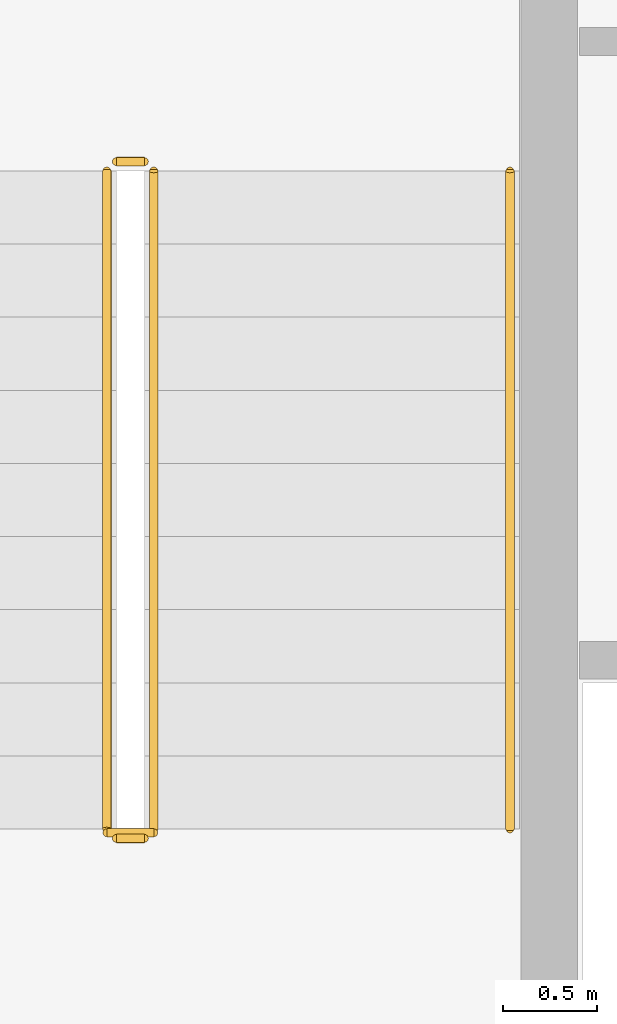
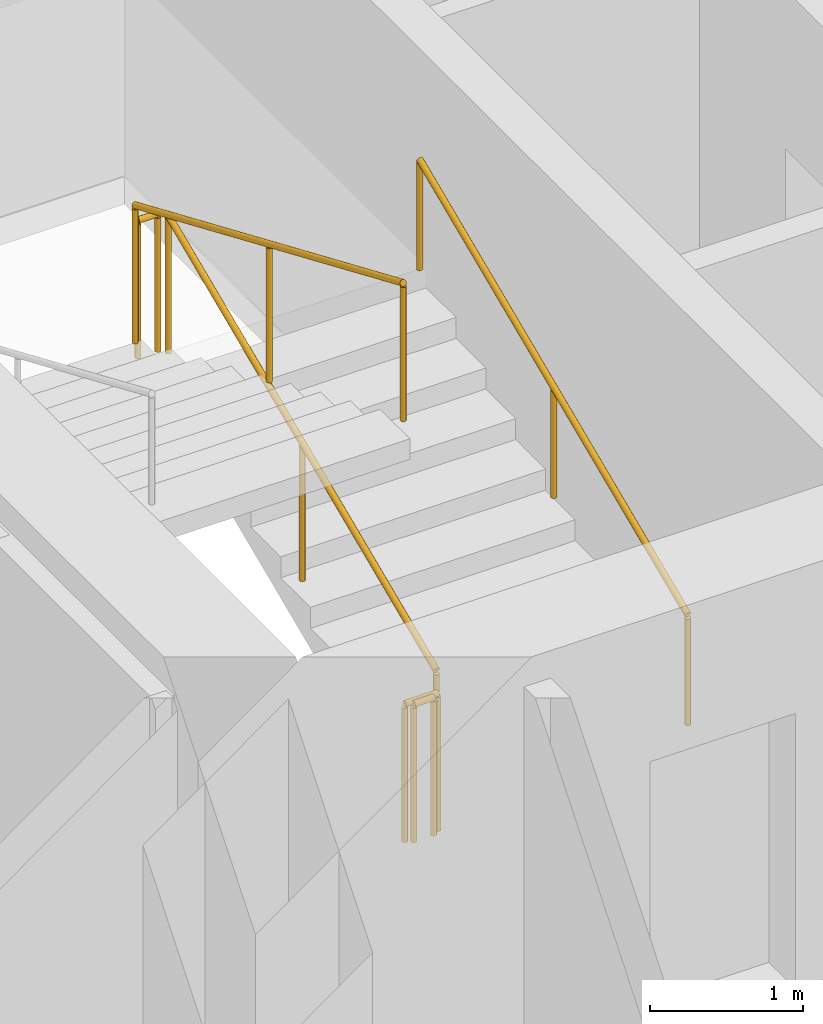
# One storey, part 32 of 33: 6 railings.
"""IFC4 building model written with IfcOpenShell, lengths in metres."""

from ifc_helpers import new_model, si_unit, direction, frame, origin, origin_2d, place, context, subcontext, project, spatial, circle, extrude, material, layer, layer_set, type_object, element, save


model = new_model("IFC4")

# Units and contexts
model_context = context("Model", 3, precision=1e-05, world=origin(), true_north=direction((0.0, 1.0)))
body_context = subcontext(model_context, "Body", "Model", "MODEL_VIEW")
ifc_project = project(units=[si_unit("LENGTHUNIT", "METRE"), si_unit("AREAUNIT", "SQUARE_METRE"), si_unit("VOLUMEUNIT", "CUBIC_METRE"), si_unit("PLANEANGLEUNIT", "RADIAN"), si_unit("MASSUNIT", "GRAM", prefix="KILO")], contexts=[model_context])

# Site, building, storey
site_placement = place(None, origin())
site = spatial("IfcSite", under=ifc_project, at=site_placement, CompositionType="ELEMENT")
building_placement = place(site_placement, origin())
building = spatial("IfcBuilding", under=site, at=building_placement, Name="Hatsunagi Terrace Concourse", CompositionType="ELEMENT")
storey_placement = place(building_placement, frame((0.0, 0.0, 56.699951171875)))
storey = spatial("IfcBuildingStorey", under=building, at=storey_placement, Name="L14", CompositionType="ELEMENT", Elevation=56.699951171875)

# Railings
ifc_material_1 = material(Name="Stainless steel", Category="steel")
ifc_layer_1 = layer(ifc_material_1, 0.044921875)
ifc_layer_set_1 = layer_set([ifc_layer_1], Name="StairPitchHandrail_Tower2000")
railing_type_1 = type_object("IfcRailingType", Name="StairPitchHandrail_Tower2000", PredefinedType="HANDRAIL", material=ifc_layer_set_1)
railing_1_placement = place(storey_placement, frame((30.330078125, 35.199951171875, 0.16748046875)))
element("IfcRailing", 1, at=railing_1_placement, inside=storey, type_object=railing_type_1, Name="L14 ST-A stair handrail 1", PredefinedType="HANDRAIL", context=body_context, shape_type="SweptSolid", body=[
    extrude(circle(Radius=0.02392578125, at=origin_2d()), frame((0.0, 0.0, 0.8759765625), z_axis=(0.0, 0.918834009242, 0.394644223904), x_axis=(-1.0, 0.0, 0.0)), (0.0, 0.0, 1.0), 3.820068359375),
    extrude(circle(Radius=0.02099609375, at=origin_2d()), origin(), (0.0, 0.0, 1.0), 0.851806640625),
    extrude(circle(Radius=0.02099609375, at=origin_2d()), frame((0.0, 1.7548828125, 0.75390625)), (0.0, 0.0, 1.0), 0.851806640625),
    extrude(circle(Radius=0.02099609375, at=origin_2d()), frame((0.0, 3.510009765625, 1.507568359375)), (0.0, 0.0, 1.0), 0.851806640625),
])
ifc_material_2 = material(Name="Stainless steel", Category="steel")
ifc_layer_2 = layer(ifc_material_2, 0.06005859375)
ifc_layer_set_2 = layer_set([ifc_layer_2], Name="StairWellGuard_Tower2000")
railing_type_2 = type_object("IfcRailingType", Name="StairWellGuard_Tower2000", PredefinedType="BALUSTRADE", material=ifc_layer_set_2)
railing_2_placement = place(storey_placement, frame((28.429931640625, 35.199951171875, 0.16748046875)))
element("IfcRailing", 2, at=railing_2_placement, inside=storey, type_object=railing_type_2, Name="L14 ST-A stair guard 1", PredefinedType="BALUSTRADE", context=body_context, shape_type="SweptSolid", body=[
    extrude(circle(Radius=0.02392578125, at=origin_2d()), frame((0.0, 0.0, 1.09619140625), z_axis=(0.0, 0.918834009242, 0.394644223904), x_axis=(-1.0, 0.0, 0.0)), (0.0, 0.0, 1.0), 3.820068359375),
    extrude(circle(Radius=0.02099609375, at=origin_2d()), origin(), (0.0, 0.0, 1.0), 1.072021484375),
    extrude(circle(Radius=0.02099609375, at=origin_2d()), frame((0.0, 1.7548828125, 0.75390625)), (0.0, 0.0, 1.0), 1.072021484375),
    extrude(circle(Radius=0.02099609375, at=origin_2d()), frame((0.0, 3.510009765625, 1.507568359375)), (0.0, 0.0, 1.0), 1.072021484375),
])
railing_3_placement = place(storey_placement, frame((28.3798828125, 38.760009765625, 1.675048828125)))
element("IfcRailing", 3, at=railing_3_placement, inside=storey, type_object=railing_type_2, Name="L14 ST-A stair guard 2", PredefinedType="BALUSTRADE", context=body_context, shape_type="SweptSolid", body=[
    extrude(circle(Radius=0.02392578125, at=origin_2d()), frame((0.0, 0.0, 1.09619140625), z_axis=(-1.0, 0.0, 0.0), x_axis=(0.0, -1.0, 0.0)), (0.0, 0.0, 1.0), 0.14990234375),
    extrude(circle(Radius=0.02099609375, at=origin_2d()), origin(), (0.0, 0.0, 1.0), 1.072021484375),
    extrude(circle(Radius=0.02099609375, at=origin_2d()), frame((-0.14990234375, 0.0, 0.0)), (0.0, 0.0, 1.0), 1.072021484375),
])
railing_4_placement = place(storey_placement, frame((28.179931640625, 38.7099609375, 1.842529296875)))
element("IfcRailing", 4, at=railing_4_placement, inside=storey, type_object=railing_type_2, Name="L14 ST-A stair guard 3", PredefinedType="BALUSTRADE", context=body_context, shape_type="SweptSolid", body=[
    extrude(circle(Radius=0.02392578125, at=origin_2d()), frame((0.0, 0.0, 1.09619140625), z_axis=(0.0, -0.918834009242, 0.394644223904), x_axis=(1.0, 0.0, 0.0)), (0.0, 0.0, 1.0), 3.820068359375),
    extrude(circle(Radius=0.02099609375, at=origin_2d()), origin(), (0.0, 0.0, 1.0), 1.072021484375),
    extrude(circle(Radius=0.02099609375, at=origin_2d()), frame((0.0, -1.7548828125, 0.75390625)), (0.0, 0.0, 1.0), 1.072021484375),
    extrude(circle(Radius=0.02099609375, at=origin_2d()), frame((0.0, -3.510009765625, 1.507568359375)), (0.0, 0.0, 1.0), 1.072021484375),
])
railing_5_placement = place(storey_placement, frame((28.3798828125, 35.14990234375, 0.0)))
element("IfcRailing", 5, at=railing_5_placement, inside=storey, type_object=railing_type_2, Name="L14 ST-A stair guard 4", PredefinedType="BALUSTRADE", context=body_context, shape_type="SweptSolid", body=[
    extrude(circle(Radius=0.02392578125, at=origin_2d()), frame((0.0, 0.0, 1.09619140625), z_axis=(-1.0, 0.0, 0.0), x_axis=(0.0, -1.0, 0.0)), (0.0, 0.0, 1.0), 0.14990234375),
    extrude(circle(Radius=0.02099609375, at=origin_2d()), origin(), (0.0, 0.0, 1.0), 1.072021484375),
    extrude(circle(Radius=0.02099609375, at=origin_2d()), frame((-0.14990234375, 0.0, 0.0)), (0.0, 0.0, 1.0), 1.072021484375),
])
ifc_material_3 = material(Name="Stainless Steel SUS316 Post-and-Rail Guard", Category="steel")
ifc_layer_3 = layer(ifc_material_3, 0.080078125)
ifc_layer_set_3 = layer_set([ifc_layer_3], Name="TerracePlantedGuardRail_1200")
railing_type_3 = type_object("IfcRailingType", Name="TerracePlantedGuardRail_1200", PredefinedType="GUARDRAIL", material=ifc_layer_set_3)
railing_6_placement = place(storey_placement, frame((28.179931640625, 35.179931640625, 0.0)))
element("IfcRailing", 6, at=railing_6_placement, inside=storey, type_object=railing_type_3, Name="Stair ST-A Well Closure Guard L14", PredefinedType="GUARDRAIL", context=body_context, shape_type="SweptSolid", body=[
    extrude(circle(Radius=0.02392578125, at=origin_2d()), frame((0.0, 0.0, 1.09619140625), z_axis=(1.0, 0.0, 0.0), x_axis=(0.0, 1.0, 0.0)), (0.0, 0.0, 1.0), 0.25),
    extrude(circle(Radius=0.02099609375, at=origin_2d()), origin(), (0.0, 0.0, 1.0), 1.072021484375),
    extrude(circle(Radius=0.02099609375, at=origin_2d()), frame((0.25, 0.0, 0.0)), (0.0, 0.0, 1.0), 1.072021484375),
])

save(model, "model.ifc")
